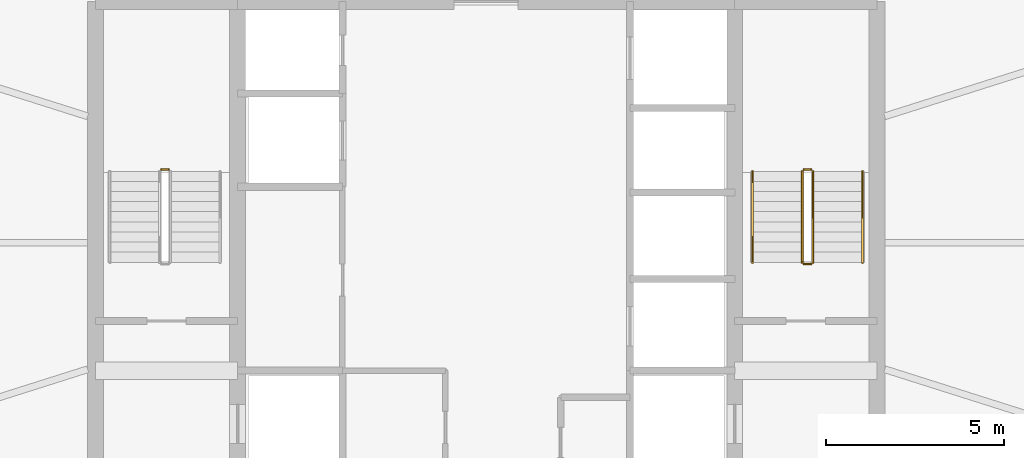
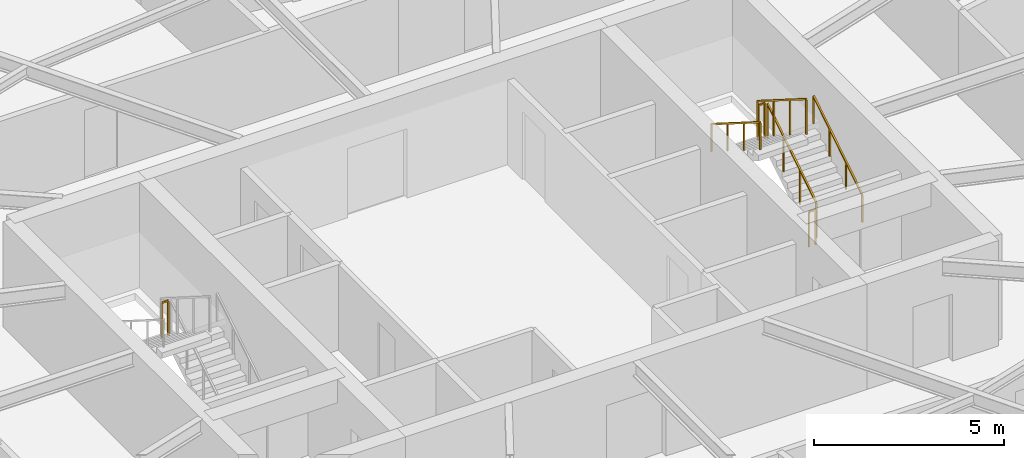
# One storey, part 30 of 30: 7 railings.
"""IFC4 building model written with IfcOpenShell, lengths in metres."""

from ifc_helpers import new_model, si_unit, direction, frame, origin, origin_2d, place, context, subcontext, project, spatial, rectangle, extrude, material, type_object, element, save


model = new_model("IFC4")

# Units and contexts
model_context = context("Model", 3, precision=1e-05, world=origin(), true_north=direction((0.0, 1.0)))
body_context = subcontext(model_context, "Body", "Model", "MODEL_VIEW")
ifc_project = project(units=[si_unit("LENGTHUNIT", "METRE"), si_unit("AREAUNIT", "SQUARE_METRE"), si_unit("VOLUMEUNIT", "CUBIC_METRE"), si_unit("PLANEANGLEUNIT", "RADIAN"), si_unit("MASSUNIT", "GRAM", prefix="KILO")], contexts=[model_context])

# Site, building, storey
site_placement = place(None, origin())
site = spatial("IfcSite", under=ifc_project, at=site_placement, CompositionType="ELEMENT")
building_placement = place(site_placement, origin())
building = spatial("IfcBuilding", under=site, at=building_placement, Name="Sarneth Arch Tower", CompositionType="ELEMENT")
storey_placement = place(building_placement, frame((0.0, 0.0, 161.39990234375)))
storey = spatial("IfcBuildingStorey", under=building, at=storey_placement, Name="L40", CompositionType="ELEMENT", Elevation=161.39990234375)

# Railings
ifc_material_1 = material(Name="Brushed Stainless Steel 304 tubular handrail", Category="steel")
railing_type_1 = type_object("IfcRailingType", Name="RAIL-HANDRAIL-900", PredefinedType="HANDRAIL", material=ifc_material_1)
railing_1_placement = place(storey_placement, frame((58.60009765625, 41.449951171875, 0.18017578125)))
element("IfcRailing", 1, at=railing_1_placement, inside=storey, type_object=railing_type_1, Name="L40 ST-2 stair handrail 1", PredefinedType="HANDRAIL", context=body_context, shape_type="SweptSolid", body=[
    extrude(rectangle(XDim=0.048095703125, YDim=0.048095703125, at=origin_2d()), frame((0.0, 0.0, 0.8759765625), z_axis=(0.0, 0.845502289212, 0.533971796014), x_axis=(-1.0, 0.0, 0.0)), (0.0, 0.0, 1.0), 3.03369140625),
    extrude(rectangle(XDim=0.0419921875, YDim=0.0419921875, at=origin_2d()), origin(), (0.0, 0.0, 1.0), 0.851806640625),
    extrude(rectangle(XDim=0.0419921875, YDim=0.0419921875, at=origin_2d()), frame((0.0, 0.85498046875, 0.5400390625)), (0.0, 0.0, 1.0), 0.851806640625),
    extrude(rectangle(XDim=0.0419921875, YDim=0.0419921875, at=origin_2d()), frame((0.0, 1.7099609375, 1.079833984375)), (0.0, 0.0, 1.0), 0.851806640625),
    extrude(rectangle(XDim=0.0419921875, YDim=0.0419921875, at=origin_2d()), frame((0.0, 2.56494140625, 1.619873046875)), (0.0, 0.0, 1.0), 0.851806640625),
])
railing_2_placement = place(storey_placement, frame((55.5, 44.014892578125, 1.97998046875)))
element("IfcRailing", 2, at=railing_2_placement, inside=storey, type_object=railing_type_1, Name="L40 ST-2 stair handrail 2", PredefinedType="HANDRAIL", context=body_context, shape_type="SweptSolid", body=[
    extrude(rectangle(XDim=0.048095703125, YDim=0.048095703125, at=origin_2d()), frame((0.0, 0.0, 0.8759765625), z_axis=(0.0, -0.845465955043, 0.534029323973), x_axis=(1.0, 0.0, 0.0)), (0.0, 0.0, 1.0), 3.03369140625),
    extrude(rectangle(XDim=0.0419921875, YDim=0.0419921875, at=origin_2d()), origin(), (0.0, 0.0, 1.0), 0.851806640625),
    extrude(rectangle(XDim=0.0419921875, YDim=0.0419921875, at=origin_2d()), frame((0.0, -0.85498046875, 0.5400390625)), (0.0, 0.0, 1.0), 0.851806640625),
    extrude(rectangle(XDim=0.0419921875, YDim=0.0419921875, at=origin_2d()), frame((0.0, -1.7099609375, 1.080078125)), (0.0, 0.0, 1.0), 0.851806640625),
    extrude(rectangle(XDim=0.0419921875, YDim=0.0419921875, at=origin_2d()), frame((0.0, -2.56494140625, 1.6201171875)), (0.0, 0.0, 1.0), 0.851806640625),
])
ifc_material_2 = material(Name="Painted Steel S275 stair well guard", Category="steel")
railing_type_2 = type_object("IfcRailingType", Name="RAIL-STAIR-GUARD", PredefinedType="GUARDRAIL", material=ifc_material_2)
railing_3_placement = place(storey_placement, frame((39.050048828125, 44.06494140625, 1.800048828125)))
element("IfcRailing", 3, at=railing_3_placement, inside=storey, type_object=railing_type_2, Name="L40 ST-1 stair guard 2", PredefinedType="GUARDRAIL", context=body_context, shape_type="SweptSolid", body=[
    extrude(rectangle(XDim=0.048095703125, YDim=0.048095703125, at=origin_2d()), frame((0.0, 0.0, 1.1259765625), z_axis=(-1.0, 0.0, 0.0), x_axis=(0.0, -1.0, 0.0)), (0.0, 0.0, 1.0), 0.199951171875),
    extrude(rectangle(XDim=0.0419921875, YDim=0.0419921875, at=origin_2d()), origin(), (0.0, 0.0, 1.0), 1.101806640625),
    extrude(rectangle(XDim=0.0419921875, YDim=0.0419921875, at=origin_2d()), frame((-0.199951171875, 0.0, 0.0)), (0.0, 0.0, 1.0), 1.101806640625),
])
railing_4_placement = place(storey_placement, frame((57.199951171875, 41.449951171875, 0.18017578125)))
element("IfcRailing", 4, at=railing_4_placement, inside=storey, type_object=railing_type_2, Name="L40 ST-2 stair guard 1", PredefinedType="GUARDRAIL", context=body_context, shape_type="SweptSolid", body=[
    extrude(rectangle(XDim=0.048095703125, YDim=0.048095703125, at=origin_2d()), frame((0.0, 0.0, 1.1259765625), z_axis=(0.0, 0.845502289212, 0.533971796014), x_axis=(-1.0, 0.0, 0.0)), (0.0, 0.0, 1.0), 3.03369140625),
    extrude(rectangle(XDim=0.0419921875, YDim=0.0419921875, at=origin_2d()), origin(), (0.0, 0.0, 1.0), 1.101806640625),
    extrude(rectangle(XDim=0.0419921875, YDim=0.0419921875, at=origin_2d()), frame((0.0, 0.85498046875, 0.5400390625)), (0.0, 0.0, 1.0), 1.101806640625),
    extrude(rectangle(XDim=0.0419921875, YDim=0.0419921875, at=origin_2d()), frame((0.0, 1.7099609375, 1.079833984375)), (0.0, 0.0, 1.0), 1.101806640625),
    extrude(rectangle(XDim=0.0419921875, YDim=0.0419921875, at=origin_2d()), frame((0.0, 2.56494140625, 1.619873046875)), (0.0, 0.0, 1.0), 1.101806640625),
])
railing_5_placement = place(storey_placement, frame((57.14990234375, 44.06494140625, 1.800048828125)))
element("IfcRailing", 5, at=railing_5_placement, inside=storey, type_object=railing_type_2, Name="L40 ST-2 stair guard 2", PredefinedType="GUARDRAIL", context=body_context, shape_type="SweptSolid", body=[
    extrude(rectangle(XDim=0.048095703125, YDim=0.048095703125, at=origin_2d()), frame((0.0, 0.0, 1.1259765625), z_axis=(-1.0, 0.0, 0.0), x_axis=(0.0, -1.0, 0.0)), (0.0, 0.0, 1.0), 0.199951171875),
    extrude(rectangle(XDim=0.0419921875, YDim=0.0419921875, at=origin_2d()), origin(), (0.0, 0.0, 1.0), 1.101806640625),
    extrude(rectangle(XDim=0.0419921875, YDim=0.0419921875, at=origin_2d()), frame((-0.199951171875, 0.0, 0.0)), (0.0, 0.0, 1.0), 1.101806640625),
])
railing_6_placement = place(storey_placement, frame((56.89990234375, 44.014892578125, 1.97998046875)))
element("IfcRailing", 6, at=railing_6_placement, inside=storey, type_object=railing_type_2, Name="L40 ST-2 stair guard 3", PredefinedType="GUARDRAIL", context=body_context, shape_type="SweptSolid", body=[
    extrude(rectangle(XDim=0.048095703125, YDim=0.048095703125, at=origin_2d()), frame((0.0, 0.0, 1.1259765625), z_axis=(0.0, -0.845465955043, 0.534029323973), x_axis=(1.0, 0.0, 0.0)), (0.0, 0.0, 1.0), 3.03369140625),
    extrude(rectangle(XDim=0.0419921875, YDim=0.0419921875, at=origin_2d()), origin(), (0.0, 0.0, 1.0), 1.101806640625),
    extrude(rectangle(XDim=0.0419921875, YDim=0.0419921875, at=origin_2d()), frame((0.0, -0.85498046875, 0.5400390625)), (0.0, 0.0, 1.0), 1.101806640625),
    extrude(rectangle(XDim=0.0419921875, YDim=0.0419921875, at=origin_2d()), frame((0.0, -1.7099609375, 1.080078125)), (0.0, 0.0, 1.0), 1.101806640625),
    extrude(rectangle(XDim=0.0419921875, YDim=0.0419921875, at=origin_2d()), frame((0.0, -2.56494140625, 1.6201171875)), (0.0, 0.0, 1.0), 1.101806640625),
])
railing_7_placement = place(storey_placement, frame((57.14990234375, 41.39990234375, 0.0)))
element("IfcRailing", 7, at=railing_7_placement, inside=storey, type_object=railing_type_2, Name="L40 ST-2 stair guard 4", PredefinedType="GUARDRAIL", context=body_context, shape_type="SweptSolid", body=[
    extrude(rectangle(XDim=0.048095703125, YDim=0.048095703125, at=origin_2d()), frame((0.0, 0.0, 1.1259765625), z_axis=(-1.0, 0.0, 0.0), x_axis=(0.0, -1.0, 0.0)), (0.0, 0.0, 1.0), 0.199951171875),
    extrude(rectangle(XDim=0.0419921875, YDim=0.0419921875, at=origin_2d()), origin(), (0.0, 0.0, 1.0), 1.101806640625),
    extrude(rectangle(XDim=0.0419921875, YDim=0.0419921875, at=origin_2d()), frame((-0.199951171875, 0.0, 0.0)), (0.0, 0.0, 1.0), 1.101806640625),
])

save(model, "model.ifc")
